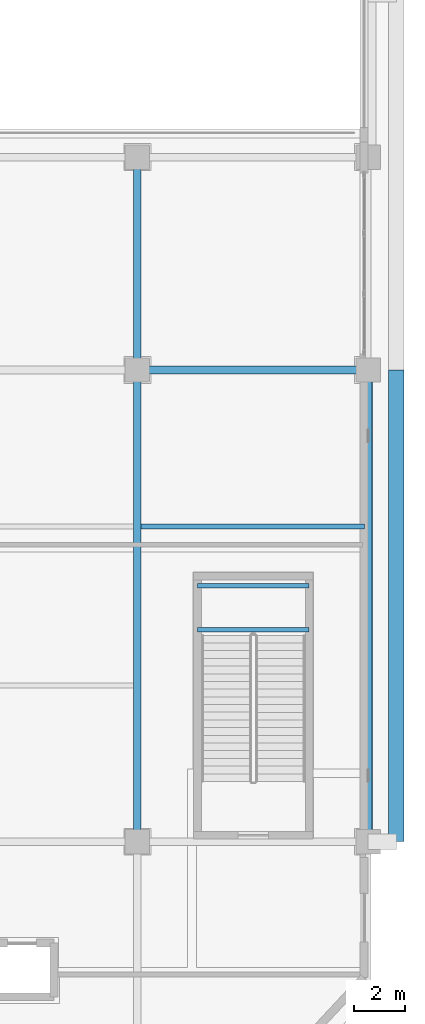
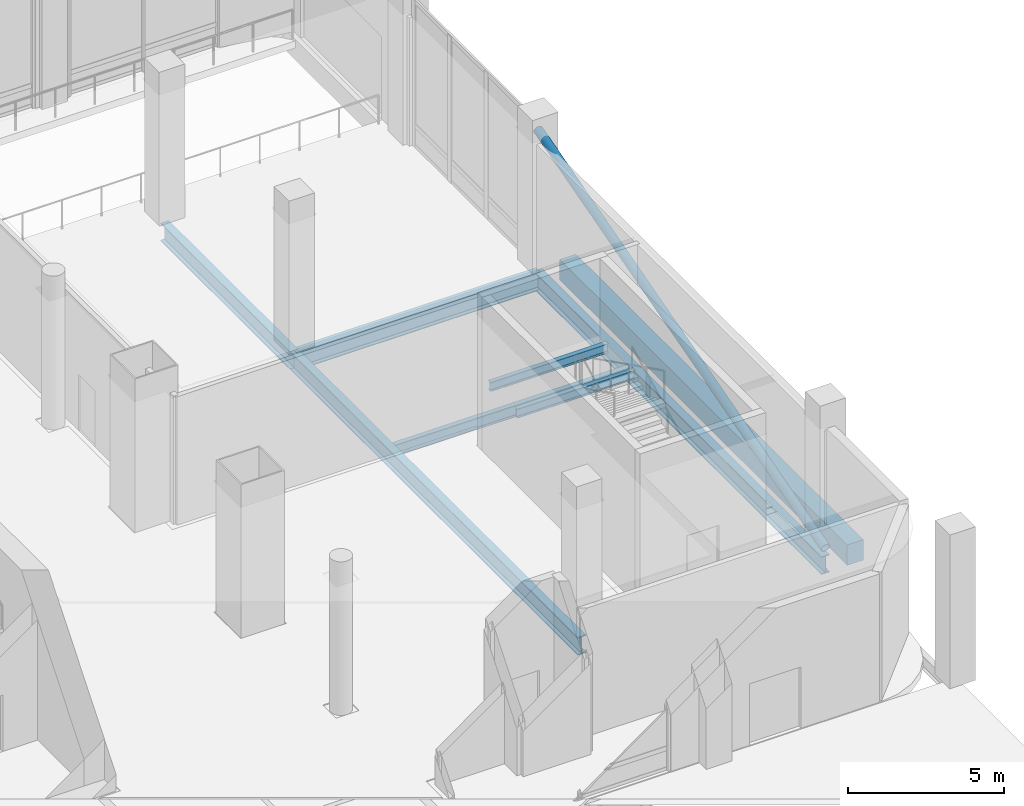
# One storey, part 15 of 32: 8 beams, 1 member.
"""IFC4 building model written with IfcOpenShell, lengths in metres."""

from ifc_helpers import new_model, si_unit, direction, frame, origin, origin_2d, place, context, subcontext, project, spatial, rectangle, hollow_circle, i_section, extrude, material, material_profile, profile_set, type_object, element, save


model = new_model("IFC4")

# Units and contexts
model_context = context("Model", 3, precision=1e-05, world=origin(), true_north=direction((0.0, 1.0)))
body_context = subcontext(model_context, "Body", "Model", "MODEL_VIEW")
ifc_project = project(units=[si_unit("LENGTHUNIT", "METRE"), si_unit("AREAUNIT", "SQUARE_METRE"), si_unit("VOLUMEUNIT", "CUBIC_METRE"), si_unit("PLANEANGLEUNIT", "RADIAN"), si_unit("MASSUNIT", "GRAM", prefix="KILO")], contexts=[model_context])

# Site, building, storey
site_placement = place(None, origin())
site = spatial("IfcSite", under=ifc_project, at=site_placement, CompositionType="ELEMENT")
building_placement = place(site_placement, origin())
building = spatial("IfcBuilding", under=site, at=building_placement, Name="Punatoya Terracotta Tower", CompositionType="ELEMENT")
storey_placement = place(building_placement, origin())
storey = spatial("IfcBuildingStorey", under=building, at=storey_placement, Name="L00", CompositionType="ELEMENT", Elevation=0.0)

# Beams
ifc_material_1 = material(Name="Steel S355", Category="steel")
ifc_material_profile_1 = material_profile(ifc_material_1, i_section(OverallWidth=0.300048828125, OverallDepth=0.699951171875, WebThickness=0.01708984375, FlangeThickness=0.031982421875, FilletRadius=0.01806640625, at=origin_2d()))
ifc_profile_set_1 = profile_set([ifc_material_profile_1], Name="Steel S355")
beam_type_1 = type_object("IfcBeamType", Name="BM-PRI-700", PredefinedType="BEAM", material=ifc_profile_set_1)
beam_1_placement = place(storey_placement, frame((28.0, 9.199951171875, -0.6298828125), z_axis=(1.0, 0.0, 0.0), x_axis=(0.0, 1.0, 0.0)))
element("IfcBeam", 1, at=beam_1_placement, inside=storey, type_object=beam_type_1, Name="BM-L00-FE2", PredefinedType="BEAM", context=body_context, shape_type="SweptSolid", body=[
    extrude(i_section(OverallWidth=0.300048828125, OverallDepth=0.699951171875, WebThickness=0.01708984375, FlangeThickness=0.031982421875, FilletRadius=0.01806640625, at=origin_2d()), origin(), (0.0, 0.0, 1.0), 9.0),
])
beam_2_placement = place(storey_placement, frame((28.0, -9.199951171875, -0.6298828125), z_axis=(0.0, 1.0, 0.0), x_axis=(-1.0, 0.0, 0.0)))
element("IfcBeam", 2, at=beam_2_placement, inside=storey, type_object=beam_type_1, Name="BM-L00-X28E--9", PredefinedType="BEAM", context=body_context, shape_type="SweptSolid", body=[
    extrude(i_section(OverallWidth=0.300048828125, OverallDepth=0.699951171875, WebThickness=0.01708984375, FlangeThickness=0.031982421875, FilletRadius=0.01806640625, at=origin_2d()), origin(), (0.0, 0.0, 1.0), 18.39990234375),
])
beam_3_placement = place(storey_placement, frame((28.0, 9.199951171875, -0.6298828125), z_axis=(0.0, 1.0, 0.0), x_axis=(-1.0, 0.0, 0.0)))
element("IfcBeam", 3, at=beam_3_placement, inside=storey, type_object=beam_type_1, Name="BM-L00-X28E-9", PredefinedType="BEAM", context=body_context, shape_type="SweptSolid", body=[
    extrude(i_section(OverallWidth=0.300048828125, OverallDepth=0.699951171875, WebThickness=0.01708984375, FlangeThickness=0.031982421875, FilletRadius=0.01806640625, at=origin_2d()), origin(), (0.0, 0.0, 1.0), 8.300048828125),
])
beam_4_placement = place(storey_placement, frame((37.0, -9.199951171875, -0.6298828125), z_axis=(0.0, 1.0, 0.0), x_axis=(-1.0, 0.0, 0.0)))
element("IfcBeam", 4, at=beam_4_placement, inside=storey, type_object=beam_type_1, Name="BM-L00-X37E--9", PredefinedType="BEAM", context=body_context, shape_type="SweptSolid", body=[
    extrude(i_section(OverallWidth=0.300048828125, OverallDepth=0.699951171875, WebThickness=0.01708984375, FlangeThickness=0.031982421875, FilletRadius=0.01806640625, at=origin_2d()), origin(), (0.0, 0.0, 1.0), 18.39990234375),
])
ifc_material_2 = material(Name="Concrete C45/55", Category="concrete")
ifc_material_profile_2 = material_profile(ifc_material_2, rectangle(XDim=0.60009765625, YDim=0.800048828125, at=origin_2d()))
ifc_profile_set_2 = profile_set([ifc_material_profile_2], Name="Concrete C45/55")
beam_type_2 = type_object("IfcBeamType", Name="BM-RC-GRD", PredefinedType="BEAM", material=ifc_profile_set_2)
beam_5_placement = place(storey_placement, frame((38.10009765625, -9.199951171875, -0.550048828125), z_axis=(0.0, 1.0, 0.0), x_axis=(-1.0, 0.0, 0.0)))
element("IfcBeam", 5, at=beam_5_placement, inside=storey, type_object=beam_type_2, Name="GB-APRE-1", PredefinedType="BEAM", context=body_context, shape_type="SweptSolid", body=[
    extrude(rectangle(XDim=0.60009765625, YDim=0.800048828125, at=origin_2d()), origin(), (0.0, 0.0, 1.0), 18.39990234375),
])
ifc_material_profile_3 = material_profile(ifc_material_1, i_section(OverallWidth=0.169921875, OverallDepth=0.360107421875, WebThickness=0.008056640625, FlangeThickness=0.0126953125, FilletRadius=0.01806640625, at=origin_2d()))
ifc_profile_set_3 = profile_set([ifc_material_profile_3], Name="Steel S355")
beam_type_3 = type_object("IfcBeamType", Name="BM-SEC-360", PredefinedType="JOIST", material=ifc_profile_set_3)
for number, where, z_axis, x_axis, name in (
    (6, (30.35009765625, -0.929931640625, 2.6201171875), (1.0, 0.0, 0.0), (0.0, 1.0, 0.0), "BM-L00-ST-P2-LD1A"),
    (7, (30.35009765625, 0.780029296875, 2.6201171875), (1.0, 0.0, 0.0), (0.0, 1.0, 0.0), "BM-L00-ST-P2-LD1B"),
):
    element("IfcBeam", number, at=place(storey_placement, frame(where, z_axis=z_axis, x_axis=x_axis)), inside=storey, type_object=beam_type_3, Name=name, PredefinedType="JOIST", context=body_context, shape_type="SweptSolid", body=[
        extrude(i_section(OverallWidth=0.169921875, OverallDepth=0.360107421875, WebThickness=0.008056640625, FlangeThickness=0.0126953125, FilletRadius=0.01806640625, at=origin_2d()), origin(), (0.0, 0.0, 1.0), 4.349853515625),
    ])
ifc_material_profile_4 = material_profile(ifc_material_1, i_section(OverallWidth=0.18994140625, OverallDepth=0.449951171875, WebThickness=0.009521484375, FlangeThickness=0.0146484375, FilletRadius=0.01806640625, at=origin_2d()))
ifc_profile_set_4 = profile_set([ifc_material_profile_4], Name="Steel S355")
beam_type_4 = type_object("IfcBeamType", Name="BM-SEC-450", PredefinedType="JOIST", material=ifc_profile_set_4)
beam_6_placement = place(storey_placement, frame((28.14990234375, 3.10009765625, -0.5048828125), z_axis=(1.0, 0.0, 0.0), x_axis=(0.0, 1.0, 0.0)))
element("IfcBeam", 8, at=beam_6_placement, inside=storey, type_object=beam_type_4, Name="BM-L00-WNGJ-E2-31", PredefinedType="JOIST", context=body_context, shape_type="SweptSolid", body=[
    extrude(i_section(OverallWidth=0.18994140625, OverallDepth=0.449951171875, WebThickness=0.009521484375, FlangeThickness=0.0146484375, FilletRadius=0.01806640625, at=origin_2d()), origin(), (0.0, 0.0, 1.0), 8.7001953125),
])

# Member
ifc_material_profile_5 = material_profile(ifc_material_1, hollow_circle(Radius=0.162109375, WallThickness=0.01611328125, at=origin_2d()))
ifc_profile_set_5 = profile_set([ifc_material_profile_5], Name="Steel S355")
member_type = type_object("IfcMemberType", Name="MEM-POD-CHS", PredefinedType="BRACE", material=ifc_profile_set_5)
member_placement = place(storey_placement, frame((37.0, -9.199951171875, 0.02001953125), z_axis=(0.0, 0.962583293048, 0.270985984776), x_axis=(-1.0, 0.0, 0.0)))
element("IfcMember", 9, at=member_placement, inside=storey, type_object=member_type, Name="L00 Podium Lateral Brace PBR-2", PredefinedType="BRACE", context=body_context, shape_type="SweptSolid", body=[
    extrude(hollow_circle(Radius=0.162109375, WallThickness=0.01611328125, at=origin_2d()), origin(), (0.0, 0.0, 1.0), 19.115234375),
])

save(model, "model.ifc")
